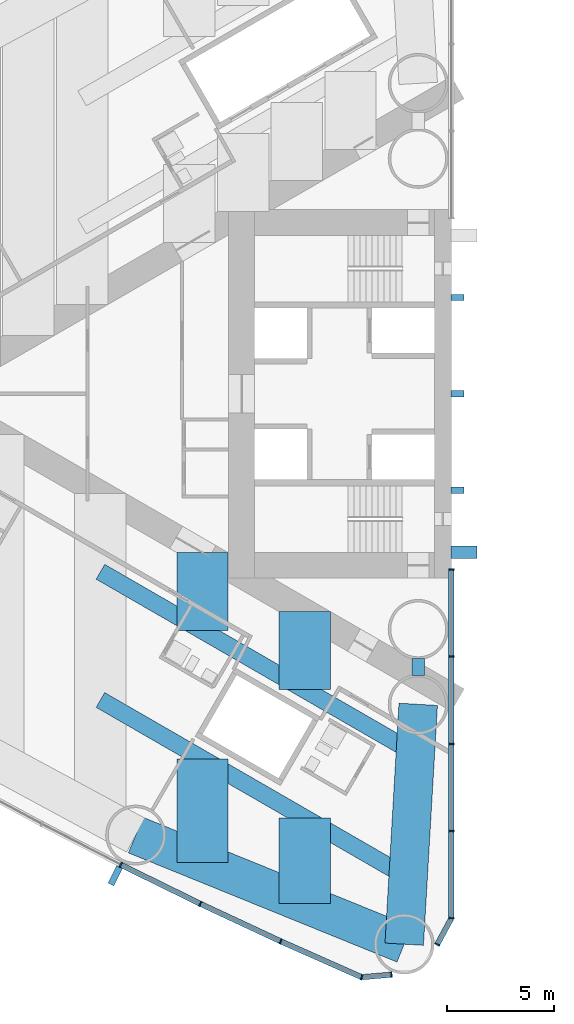
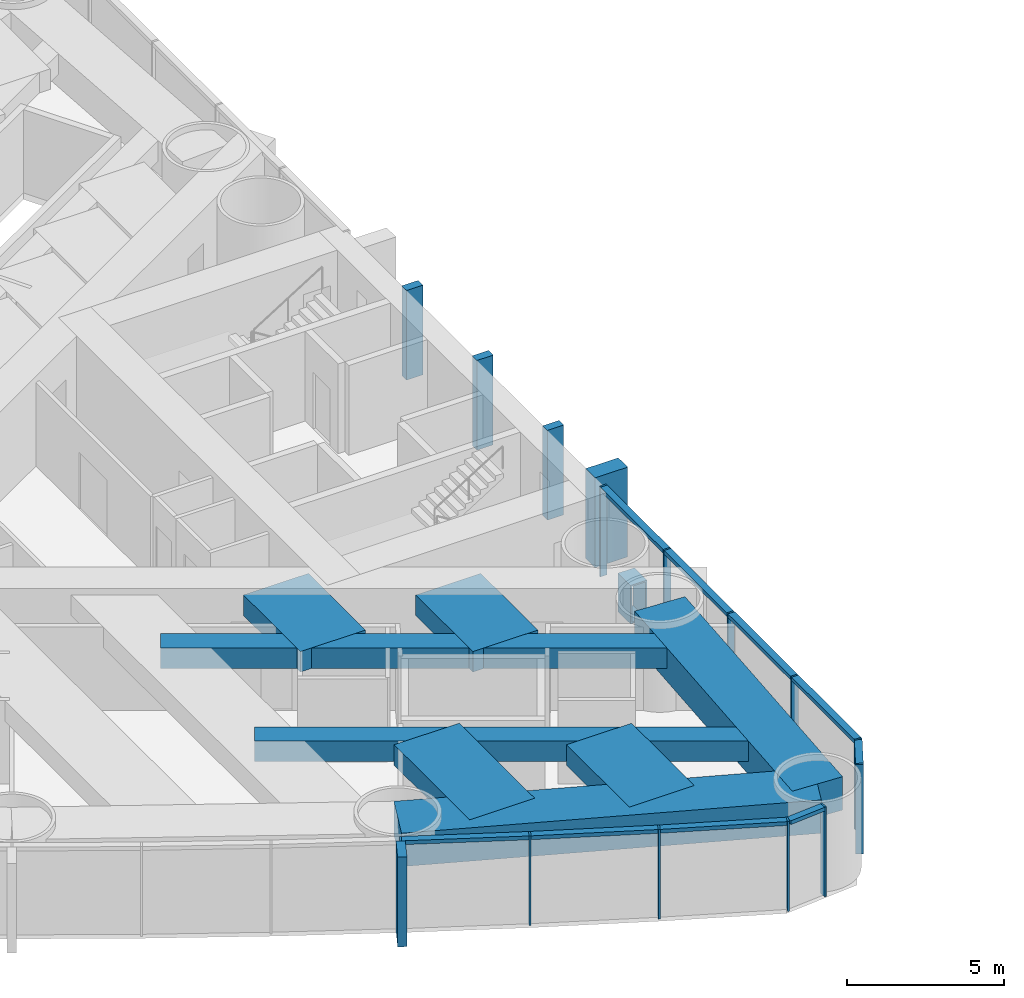
# One storey, part 3 of 19: 25 members, 9 beams, 2 elements without a shape of their own.
"""IFC4 building model written with IfcOpenShell, lengths in metres."""

from ifc_helpers import new_model, si_unit, direction, frame, origin, origin_2d, place, context, subcontext, project, spatial, rectangle, hollow_rectangle, extrude, material, material_profile, profile_set, type_object, element, aggregate, save


model = new_model("IFC4")

# Units and contexts
model_context = context("Model", 3, precision=1e-05, world=origin(), true_north=direction((0.0, 1.0)))
body_context = subcontext(model_context, "Body", "Model", "MODEL_VIEW")
ifc_project = project(units=[si_unit("LENGTHUNIT", "METRE"), si_unit("AREAUNIT", "SQUARE_METRE"), si_unit("VOLUMEUNIT", "CUBIC_METRE"), si_unit("PLANEANGLEUNIT", "RADIAN"), si_unit("MASSUNIT", "GRAM", prefix="KILO")], contexts=[model_context])

# Site, building, storey
site_placement = place(None, origin())
site = spatial("IfcSite", under=ifc_project, at=site_placement, CompositionType="ELEMENT")
building_placement = place(site_placement, origin())
building = spatial("IfcBuilding", under=site, at=building_placement, Name="Lancet Gate Hotel", CompositionType="ELEMENT")
storey_placement = place(building_placement, frame((0.0, 0.0, 32.0)))
storey = spatial("IfcBuildingStorey", under=building, at=storey_placement, Name="L07", CompositionType="ELEMENT", Elevation=32.0)

# Curtain wall, members
ifc_material_1 = material(Name="Aluminium curtain wall", Category="aluminium")
curtain_wall_type = type_object("IfcCurtainWallType", Name="Tower unitised curtain wall", PredefinedType="USERDEFINED", material=ifc_material_1)
curtain_wall_1_placement = place(storey_placement, origin())
curtain_wall_1 = element("IfcCurtainWall", 1, at=curtain_wall_1_placement, inside=storey, type_object=curtain_wall_type, Name="T1 L07 curtain wall 3", ObjectType="UNITISED CURTAIN WALL", PredefinedType="USERDEFINED")
ifc_material_2 = material(Name="Aluminium mullion", Category="aluminium")
ifc_material_profile_1 = material_profile(ifc_material_2, rectangle(XDim=0.06494140625, YDim=0.25, at=origin_2d()), Name="MULLION 65x250")
ifc_profile_set_1 = profile_set([ifc_material_profile_1], Name="Aluminium mullion")
member_type_1 = type_object("IfcMemberType", Name="Aluminium mullion 65x250", PredefinedType="MULLION", material=ifc_profile_set_1)
member_1_placement = place(storey_placement, frame((-42.94189453125, -21.991943359375, 0.0), z_axis=(0.0, 0.0, 1.0), x_axis=(0.893291549794, -0.449477704748, 0.0)))
member_1 = element("IfcMember", 2, at=member_1_placement, type_object=member_type_1, Name="T1 L07 curtain wall 3 mullion 11", PredefinedType="MULLION", context=body_context, shape_type="SweptSolid", body=[
    extrude(rectangle(XDim=0.06494140625, YDim=0.25, at=origin_2d()), origin(), (0.0, 0.0, 1.0), 3.5),
])
member_2_placement = place(storey_placement, frame((-39.225341796875, -23.816650390625, 0.0), z_axis=(0.0, 0.0, 1.0), x_axis=(0.901928838337, -0.431884672772, 0.0)))
member_2 = element("IfcMember", 3, at=member_2_placement, type_object=member_type_1, Name="T1 L07 curtain wall 3 mullion 12", PredefinedType="MULLION", context=body_context, shape_type="SweptSolid", body=[
    extrude(rectangle(XDim=0.06494140625, YDim=0.25, at=origin_2d()), origin(), (0.0, 0.0, 1.0), 3.5),
])
member_3_placement = place(storey_placement, frame((-35.473876953125, -25.568115234375, 0.0), z_axis=(0.0, 0.0, 1.0), x_axis=(0.910219680212, -0.414125746308, 0.0)))
member_3 = element("IfcMember", 4, at=member_3_placement, type_object=member_type_1, Name="T1 L07 curtain wall 3 mullion 13", PredefinedType="MULLION", context=body_context, shape_type="SweptSolid", body=[
    extrude(rectangle(XDim=0.06494140625, YDim=0.25, at=origin_2d()), origin(), (0.0, 0.0, 1.0), 3.5),
])
member_4_placement = place(storey_placement, frame((-31.688720703125, -27.24560546875, 0.0), z_axis=(0.0, 0.0, 1.0), x_axis=(0.957524354695, -0.288352406209, 0.0)))
member_4 = element("IfcMember", 5, at=member_4_placement, type_object=member_type_1, Name="T1 L07 curtain wall 3 mullion 14", PredefinedType="MULLION", context=body_context, shape_type="SweptSolid", body=[
    extrude(rectangle(XDim=0.06494140625, YDim=0.25, at=origin_2d()), origin(), (0.0, 0.0, 1.0), 3.5),
])
member_5_placement = place(storey_placement, frame((-30.3046875, -27.124755859375, 0.0), z_axis=(0.0, 0.0, 1.0), x_axis=(0.99620380374, 0.087051602022, 0.0)))
member_5 = element("IfcMember", 6, at=member_5_placement, type_object=member_type_1, Name="T1 L07 curtain wall 3 mullion 15", PredefinedType="MULLION", context=body_context, shape_type="SweptSolid", body=[
    extrude(rectangle(XDim=0.06494140625, YDim=0.25, at=origin_2d()), origin(), (0.0, 0.0, 1.0), 3.5),
])

curtain_wall_2_placement = place(storey_placement, origin())
curtain_wall_2 = element("IfcCurtainWall", 7, at=curtain_wall_2_placement, inside=storey, type_object=curtain_wall_type, Name="T1 L07 curtain wall 4", ObjectType="UNITISED CURTAIN WALL", PredefinedType="USERDEFINED")
member_6_placement = place(storey_placement, frame((-28.158935546875, -25.712890625, 0.0), z_axis=(0.0, 0.0, 1.0), x_axis=(0.474631040972, 0.880184852714, 0.0)))
member_6 = element("IfcMember", 8, at=member_6_placement, type_object=member_type_1, Name="T1 L07 curtain wall 4 mullion 1", PredefinedType="MULLION", context=body_context, shape_type="SweptSolid", body=[
    extrude(rectangle(XDim=0.06494140625, YDim=0.25, at=origin_2d()), origin(), (0.0, 0.0, 1.0), 3.5),
])
member_7_placement = place(storey_placement, frame((-27.5, -24.4912109375, 0.0), z_axis=(0.0, 0.0, 1.0), x_axis=(0.123482502544, 0.992346749662, 0.0)))
member_7 = element("IfcMember", 9, at=member_7_placement, type_object=member_type_1, Name="T1 L07 curtain wall 4 mullion 2", PredefinedType="MULLION", context=body_context, shape_type="SweptSolid", body=[
    extrude(rectangle(XDim=0.06494140625, YDim=0.25, at=origin_2d()), origin(), (0.0, 0.0, 1.0), 3.5),
])
member_8_placement = place(storey_placement, frame((-27.5, -20.41845703125, 0.0), z_axis=(0.0, 0.0, 1.0), x_axis=(0.0, 1.0, 0.0)))
member_8 = element("IfcMember", 10, at=member_8_placement, type_object=member_type_1, Name="T1 L07 curtain wall 4 mullion 3", PredefinedType="MULLION", context=body_context, shape_type="SweptSolid", body=[
    extrude(rectangle(XDim=0.06494140625, YDim=0.25, at=origin_2d()), origin(), (0.0, 0.0, 1.0), 3.5),
])
member_9_placement = place(storey_placement, frame((-27.5, -16.345703125, 0.0), z_axis=(0.0, 0.0, 1.0), x_axis=(0.0, 1.0, 0.0)))
member_9 = element("IfcMember", 11, at=member_9_placement, type_object=member_type_1, Name="T1 L07 curtain wall 4 mullion 4", PredefinedType="MULLION", context=body_context, shape_type="SweptSolid", body=[
    extrude(rectangle(XDim=0.06494140625, YDim=0.25, at=origin_2d()), origin(), (0.0, 0.0, 1.0), 3.5),
])
member_10_placement = place(storey_placement, frame((-27.5, -12.272705078125, 0.0), z_axis=(0.0, 0.0, 1.0), x_axis=(0.0, 1.0, 0.0)))
member_10 = element("IfcMember", 12, at=member_10_placement, type_object=member_type_1, Name="T1 L07 curtain wall 4 mullion 5", PredefinedType="MULLION", context=body_context, shape_type="SweptSolid", body=[
    extrude(rectangle(XDim=0.06494140625, YDim=0.25, at=origin_2d()), origin(), (0.0, 0.0, 1.0), 3.5),
])
member_11_placement = place(storey_placement, frame((-27.5, -8.199951171875, 0.0), z_axis=(0.0, 0.0, 1.0), x_axis=(0.0, 1.0, 0.0)))
member_11 = element("IfcMember", 13, at=member_11_placement, type_object=member_type_1, Name="T1 L07 curtain wall 4 mullion 6", PredefinedType="MULLION", context=body_context, shape_type="SweptSolid", body=[
    extrude(rectangle(XDim=0.06494140625, YDim=0.25, at=origin_2d()), origin(), (0.0, 0.0, 1.0), 3.5),
])

# Member
ifc_material_3 = material(Name="Aluminium transom", Category="aluminium")
ifc_material_profile_2 = material_profile(ifc_material_3, rectangle(XDim=0.25, YDim=0.14990234375, at=origin_2d()), Name="TRANSOM 250x150")
ifc_profile_set_2 = profile_set([ifc_material_profile_2], Name="Aluminium transom")
member_type_2 = type_object("IfcMemberType", Name="Aluminium transom 250x150", PredefinedType="USERDEFINED", material=ifc_profile_set_2)
member_12_placement = place(storey_placement, frame((-42.912841796875, -22.00634765625, 3.425048828125), z_axis=(0.897662439958, -0.440683723194, 0.0), x_axis=(0.440683723194, 0.897662439958, 0.0)))
member_12 = element("IfcMember", 14, at=member_12_placement, type_object=member_type_2, Name="T1 L07 curtain wall 3 transom 11", ObjectType="TRANSOM", PredefinedType="USERDEFINED", context=body_context, shape_type="SweptSolid", body=[
    extrude(rectangle(XDim=0.25, YDim=0.14990234375, at=origin_2d()), origin(), (0.0, 0.0, 1.0), 4.0751953125),
])

member_13_placement = place(storey_placement, frame((-39.196044921875, -23.830322265625, 3.425048828125), z_axis=(0.906109667261, -0.423042871228, 0.0), x_axis=(0.423042871228, 0.906109667261, 0.0)))
member_13 = element("IfcMember", 15, at=member_13_placement, type_object=member_type_2, Name="T1 L07 curtain wall 3 transom 12", ObjectType="TRANSOM", PredefinedType="USERDEFINED", context=body_context, shape_type="SweptSolid", body=[
    extrude(rectangle(XDim=0.25, YDim=0.14990234375, at=origin_2d()), origin(), (0.0, 0.0, 1.0), 4.075439453125),
])

member_14_placement = place(storey_placement, frame((-35.444091796875, -25.581298828125, 3.425048828125), z_axis=(0.914248281954, -0.405154389022, 0.0), x_axis=(0.405154389022, 0.914248281954, 0.0)))
member_14 = element("IfcMember", 16, at=member_14_placement, type_object=member_type_2, Name="T1 L07 curtain wall 3 transom 13", ObjectType="TRANSOM", PredefinedType="USERDEFINED", context=body_context, shape_type="SweptSolid", body=[
    extrude(rectangle(XDim=0.25, YDim=0.14990234375, at=origin_2d()), origin(), (0.0, 0.0, 1.0), 4.0751953125),
])

member_15_placement = place(storey_placement, frame((-31.65625, -27.242919921875, 3.425048828125), z_axis=(0.99620591587, 0.087027427779, 0.0), x_axis=(-0.087027427779, 0.99620591587, 0.0)))
member_15 = element("IfcMember", 17, at=member_15_placement, type_object=member_type_2, Name="T1 L07 curtain wall 3 transom 14", ObjectType="TRANSOM", PredefinedType="USERDEFINED", context=body_context, shape_type="SweptSolid", body=[
    extrude(rectangle(XDim=0.25, YDim=0.14990234375, at=origin_2d()), origin(), (0.0, 0.0, 1.0), 1.32421875),
])

member_16_placement = place(storey_placement, frame((-28.143310546875, -25.684326171875, 3.425048828125), z_axis=(0.474605926905, 0.880198394765, 0.0), x_axis=(-0.880198394765, 0.474605926905, 0.0)))
member_16 = element("IfcMember", 18, at=member_16_placement, type_object=member_type_2, Name="T1 L07 curtain wall 4 transom 1", ObjectType="TRANSOM", PredefinedType="USERDEFINED", context=body_context, shape_type="SweptSolid", body=[
    extrude(rectangle(XDim=0.25, YDim=0.14990234375, at=origin_2d()), origin(), (0.0, 0.0, 1.0), 1.322998046875),
])

member_17_placement = place(storey_placement, frame((-27.5, -24.458740234375, 3.425048828125), z_axis=(0.0, 1.0, 0.0), x_axis=(-1.0, 0.0, 0.0)))
member_17 = element("IfcMember", 19, at=member_17_placement, type_object=member_type_2, Name="T1 L07 curtain wall 4 transom 2", ObjectType="TRANSOM", PredefinedType="USERDEFINED", context=body_context, shape_type="SweptSolid", body=[
    extrude(rectangle(XDim=0.25, YDim=0.14990234375, at=origin_2d()), origin(), (0.0, 0.0, 1.0), 4.0078125),
])

member_18_placement = place(storey_placement, frame((-27.5, -20.385986328125, 3.425048828125), z_axis=(0.0, 1.0, 0.0), x_axis=(-1.0, 0.0, 0.0)))
member_18 = element("IfcMember", 20, at=member_18_placement, type_object=member_type_2, Name="T1 L07 curtain wall 4 transom 3", ObjectType="TRANSOM", PredefinedType="USERDEFINED", context=body_context, shape_type="SweptSolid", body=[
    extrude(rectangle(XDim=0.25, YDim=0.14990234375, at=origin_2d()), origin(), (0.0, 0.0, 1.0), 4.0078125),
])

member_19_placement = place(storey_placement, frame((-27.5, -16.31298828125, 3.425048828125), z_axis=(0.0, 1.0, 0.0), x_axis=(-1.0, 0.0, 0.0)))
member_19 = element("IfcMember", 21, at=member_19_placement, type_object=member_type_2, Name="T1 L07 curtain wall 4 transom 4", ObjectType="TRANSOM", PredefinedType="USERDEFINED", context=body_context, shape_type="SweptSolid", body=[
    extrude(rectangle(XDim=0.25, YDim=0.14990234375, at=origin_2d()), origin(), (0.0, 0.0, 1.0), 4.0078125),
])

member_20_placement = place(storey_placement, frame((-27.5, -12.240234375, 3.425048828125), z_axis=(0.0, 1.0, 0.0), x_axis=(-1.0, 0.0, 0.0)))
member_20 = element("IfcMember", 22, at=member_20_placement, type_object=member_type_2, Name="T1 L07 curtain wall 4 transom 5", ObjectType="TRANSOM", PredefinedType="USERDEFINED", context=body_context, shape_type="SweptSolid", body=[
    extrude(rectangle(XDim=0.25, YDim=0.14990234375, at=origin_2d()), origin(), (0.0, 0.0, 1.0), 4.0078125),
])

aggregate(curtain_wall_2, [member_6, member_7, member_8, member_9, member_10, member_11, member_16, member_17, member_18, member_19, member_20])

# Beams
ifc_material_4 = material(Name="Concrete C50/60", Category="concrete")
ifc_material_profile_3 = material_profile(ifc_material_4, rectangle(XDim=1.800048828125, YDim=1.300048828125, at=origin_2d()), Name="RC 1800x1300")
ifc_profile_set_3 = profile_set([ifc_material_profile_3], Name="Concrete C50/60")
beam_type_1 = type_object("IfcBeamType", Name="Edge beam RC 1800x1300", PredefinedType="SPANDREL", material=ifc_profile_set_3)
beam_1_placement = place(storey_placement, frame((-42.2451171875, -20.607421875, 2.60009765625), z_axis=(0.926463236197, -0.376385270667, 0.0), x_axis=(0.376385270667, 0.926463236197, 0.0)))
element("IfcBeam", 23, at=beam_1_placement, inside=storey, type_object=beam_type_1, Name="T1 edge beam EB1 L07", PredefinedType="SPANDREL", context=body_context, shape_type="SweptSolid", body=[
    extrude(rectangle(XDim=1.800048828125, YDim=1.300048828125, at=origin_2d()), origin(), (0.0, 0.0, 1.0), 13.537353515625),
])
beam_2_placement = place(storey_placement, frame((-29.050048828125, -14.5, 2.60009765625), z_axis=(-0.058219521912, -0.998303805096, 0.0), x_axis=(0.998303805096, -0.058219521912, 0.0)))
element("IfcBeam", 24, at=beam_2_placement, inside=storey, type_object=beam_type_1, Name="T1 edge beam EB1 L07", PredefinedType="SPANDREL", context=body_context, shape_type="SweptSolid", body=[
    extrude(rectangle(XDim=1.800048828125, YDim=1.300048828125, at=origin_2d()), origin(), (0.0, 0.0, 1.0), 11.2216796875),
])

# Member
ifc_material_5 = material(Name="Concrete C60/75", Category="concrete")
ifc_material_profile_4 = material_profile(ifc_material_5, rectangle(XDim=0.60009765625, YDim=1.199951171875, at=origin_2d()), Name="FIN 600x1200")
ifc_profile_set_4 = profile_set([ifc_material_profile_4], Name="Concrete C60/75")
member_type_3 = type_object("IfcMemberType", Name="Exposed concrete buttress pilaster 600x1200", PredefinedType="USERDEFINED", material=ifc_profile_set_4)
member_21_placement = place(storey_placement, frame((-26.909912109375, -7.39990234375, 0.0), z_axis=(0.0, 0.0, 1.0), x_axis=(0.0, 1.0, 0.0)))
element("IfcMember", 25, at=member_21_placement, inside=storey, type_object=member_type_3, Name="T1 buttress pilaster N L07", ObjectType="FIN", PredefinedType="USERDEFINED", context=body_context, shape_type="SweptSolid", body=[
    extrude(rectangle(XDim=0.60009765625, YDim=1.199951171875, at=origin_2d()), origin(), (0.0, 0.0, 1.0), 3.5),
])

ifc_material_6 = material(Name="Precast concrete C50/60", Category="concrete")
ifc_material_profile_5 = material_profile(ifc_material_6, rectangle(XDim=0.300048828125, YDim=0.89990234375, at=origin_2d()), Name="FIN 300x900")
ifc_profile_set_5 = profile_set([ifc_material_profile_5], Name="Precast concrete C50/60")
member_type_4 = type_object("IfcMemberType", Name="Exposed concrete fin 300x900", PredefinedType="USERDEFINED", material=ifc_profile_set_5)
member_22_placement = place(storey_placement, frame((-43.200439453125, -22.505615234375, 0.0), z_axis=(0.0, 0.0, 1.0), x_axis=(0.893291549794, -0.449477704748, 0.0)))
member_22 = element("IfcMember", 26, at=member_22_placement, type_object=member_type_4, Name="T1 L07 curtain wall 3 fin 11", ObjectType="FIN", PredefinedType="USERDEFINED", context=body_context, shape_type="SweptSolid", body=[
    extrude(rectangle(XDim=0.300048828125, YDim=0.89990234375, at=origin_2d()), origin(), (0.0, 0.0, 1.0), 3.5),
])

aggregate(curtain_wall_1, [member_1, member_22, member_2, member_3, member_4, member_5, member_12, member_13, member_14, member_15])

# Members
ifc_material_7 = material(Name="Concrete C60/75", Category="concrete")
ifc_material_profile_6 = material_profile(ifc_material_7, rectangle(XDim=0.300048828125, YDim=0.60009765625, at=origin_2d()), Name="FIN 300x600")
ifc_profile_set_6 = profile_set([ifc_material_profile_6], Name="Concrete C60/75")
member_type_5 = type_object("IfcMemberType", Name="Exposed concrete rib 300x600", PredefinedType="USERDEFINED", material=ifc_profile_set_6)
for number, where, z_axis, x_axis, name in (
    (27, (-27.2099609375, 4.5, 0.0), (0.0, 0.0, 1.0), (0.0, 1.0, 0.0), "T1 core rib 1 L07"),
    (28, (-27.2099609375, 0.0, 0.0), (0.0, 0.0, 1.0), (0.0, 1.0, 0.0), "T1 core rib 2 L07"),
    (29, (-27.2099609375, -4.5, 0.0), (0.0, 0.0, 1.0), (0.0, 1.0, 0.0), "T1 core rib 3 L07"),
):
    element("IfcMember", number, at=place(storey_placement, frame(where, z_axis=z_axis, x_axis=x_axis)), inside=storey, type_object=member_type_5, Name=name, ObjectType="FIN", PredefinedType="USERDEFINED", context=body_context, shape_type="SweptSolid", body=[
        extrude(rectangle(XDim=0.300048828125, YDim=0.60009765625, at=origin_2d()), origin(), (0.0, 0.0, 1.0), 3.5),
    ])

# Beams
ifc_material_8 = material(Name="Concrete C50/60", Category="concrete")
ifc_material_profile_7 = material_profile(ifc_material_8, rectangle(XDim=2.39990234375, YDim=0.800048828125, at=origin_2d()), Name="RC 2400x800")
ifc_profile_set_7 = profile_set([ifc_material_profile_7], Name="Concrete C50/60")
beam_type_2 = type_object("IfcBeamType", Name="Floor beam RC 2400x800", PredefinedType="BEAM", material=ifc_profile_set_7)
beam_3_placement = place(storey_placement, frame((-34.353515625, -10.169921875, 2.85009765625), z_axis=(0.0, -1.0, 0.0), x_axis=(1.0, 0.0, 0.0)))
element("IfcBeam", 30, at=beam_3_placement, inside=storey, type_object=beam_type_2, Name="T1 floor beam F03NA L07", PredefinedType="BEAM", context=body_context, shape_type="SweptSolid", body=[
    extrude(rectangle(XDim=2.39990234375, YDim=0.800048828125, at=origin_2d()), origin(), (0.0, 0.0, 1.0), 3.645751953125),
])
beam_4_placement = place(storey_placement, frame((-34.353515625, -19.802978515625, 2.85009765625), z_axis=(0.0, -1.0, 0.0), x_axis=(1.0, 0.0, 0.0)))
element("IfcBeam", 31, at=beam_4_placement, inside=storey, type_object=beam_type_2, Name="T1 floor beam F03NB L07", PredefinedType="BEAM", context=body_context, shape_type="SweptSolid", body=[
    extrude(rectangle(XDim=2.39990234375, YDim=0.800048828125, at=origin_2d()), origin(), (0.0, 0.0, 1.0), 4.010498046875),
])
beam_5_placement = place(storey_placement, frame((-39.122314453125, -7.41650390625, 2.85009765625), z_axis=(0.0, -1.0, 0.0), x_axis=(1.0, 0.0, 0.0)))
element("IfcBeam", 32, at=beam_5_placement, inside=storey, type_object=beam_type_2, Name="T1 floor beam F06NA L07", PredefinedType="BEAM", context=body_context, shape_type="SweptSolid", body=[
    extrude(rectangle(XDim=2.39990234375, YDim=0.800048828125, at=origin_2d()), origin(), (0.0, 0.0, 1.0), 3.64599609375),
])
beam_6_placement = place(storey_placement, frame((-39.122314453125, -17.0498046875, 2.85009765625), z_axis=(0.0, -1.0, 0.0), x_axis=(1.0, 0.0, 0.0)))
element("IfcBeam", 33, at=beam_6_placement, inside=storey, type_object=beam_type_2, Name="T1 floor beam F06NB L07", PredefinedType="BEAM", context=body_context, shape_type="SweptSolid", body=[
    extrude(rectangle(XDim=2.39990234375, YDim=0.800048828125, at=origin_2d()), origin(), (0.0, 0.0, 1.0), 4.826416015625),
])
ifc_material_9 = material(Name="Steel S460QL", Category="steel")
ifc_material_profile_8 = material_profile(ifc_material_9, hollow_rectangle(XDim=0.60009765625, YDim=1.5, WallThickness=0.050048828125, at=origin_2d()), Name="BOX 1500x600x50")
ifc_profile_set_8 = profile_set([ifc_material_profile_8], Name="Steel S460QL")
beam_type_3 = type_object("IfcBeamType", Name="Inner-face link beam BOX 1500x600x50", PredefinedType="BEAM", material=ifc_profile_set_8)
beam_7_placement = place(storey_placement, frame((-29.050048828125, -12.35009765625, 2.5), z_axis=(0.0, -1.0, 0.0), x_axis=(1.0, 0.0, 0.0)))
element("IfcBeam", 34, at=beam_7_placement, inside=storey, type_object=beam_type_3, Name="T1 inner-face link beam LK1 L07", PredefinedType="BEAM", context=body_context, shape_type="SweptSolid", body=[
    extrude(hollow_rectangle(XDim=0.60009765625, YDim=1.5, WallThickness=0.050048828125, at=origin_2d()), origin(), (0.0, 0.0, 1.0), 0.7998046875),
])
ifc_material_10 = material(Name="Steel S460QL", Category="steel")
ifc_material_profile_9 = material_profile(ifc_material_10, hollow_rectangle(XDim=0.800048828125, YDim=0.800048828125, WallThickness=0.080078125, at=origin_2d()), Name="BOX 800x800x80")
ifc_profile_set_9 = profile_set([ifc_material_profile_9], Name="Steel S460QL")
beam_type_4 = type_object("IfcBeamType", Name="Trimmer beam BOX 800x800x80", PredefinedType="BEAM", material=ifc_profile_set_9)
for number, where, z_axis, x_axis, name in (
    (35, (-29.58447265625, -22.55615234375, 2.85009765625), (-0.866040141834, 0.49997447208, 0.0), (-0.49997447208, -0.866040141834, 0.0), "T1 trimmer beam TR03N L07"),
    (36, (-29.58447265625, -16.56884765625, 2.85009765625), (-0.866040141834, 0.49997447208, 0.0), (-0.49997447208, -0.866040141834, 0.0), "T1 trimmer beam TR04N L07"),
):
    element("IfcBeam", number, at=place(storey_placement, frame(where, z_axis=z_axis, x_axis=x_axis)), inside=storey, type_object=beam_type_4, Name=name, PredefinedType="BEAM", context=body_context, shape_type="SweptSolid", body=[
        extrude(hollow_rectangle(XDim=0.800048828125, YDim=0.800048828125, WallThickness=0.080078125, at=origin_2d()), origin(), (0.0, 0.0, 1.0), 16.519775390625),
    ])

save(model, "model.ifc")
